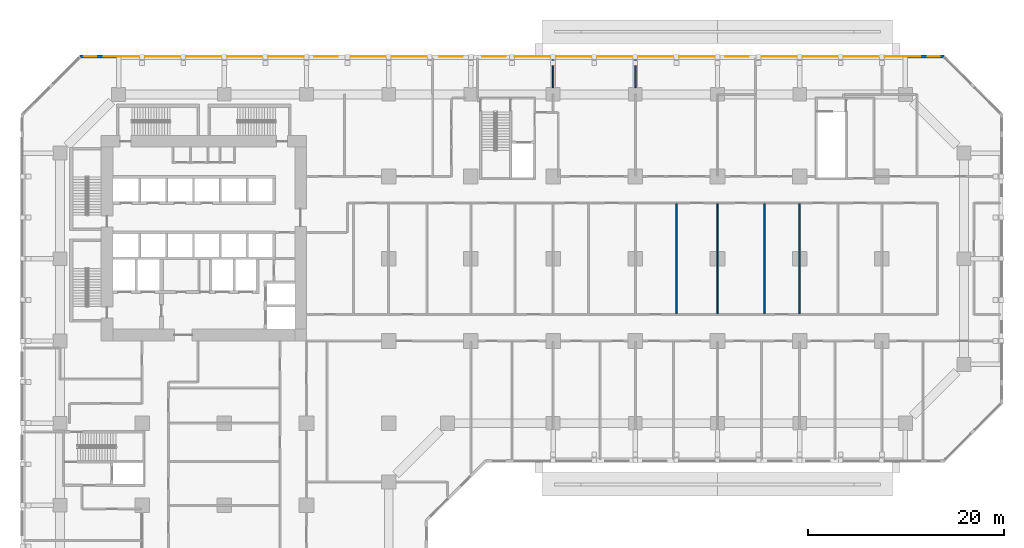
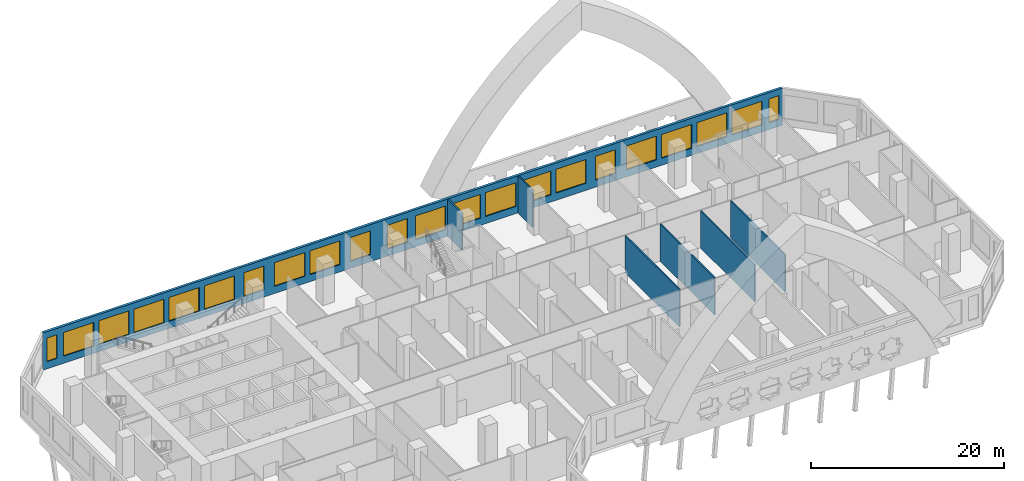
# One storey, part 15 of 25: 22 windows, 7 walls, 22 openings.
"""IFC4 building model written with IfcOpenShell, lengths in metres."""

from ifc_helpers import new_model, si_unit, direction, frame, frame_2d, origin, place, context, subcontext, project, spatial, rectangle, extrude, material, layer, layer_set, type_object, element, fill, save


model = new_model("IFC4")

# Units and contexts
model_context = context("Model", 3, precision=1e-05, world=origin(), true_north=direction((0.0, 1.0)))
body_context = subcontext(model_context, "Body", "Model", "MODEL_VIEW")
ifc_project = project(units=[si_unit("LENGTHUNIT", "METRE"), si_unit("AREAUNIT", "SQUARE_METRE"), si_unit("VOLUMEUNIT", "CUBIC_METRE"), si_unit("PLANEANGLEUNIT", "RADIAN"), si_unit("MASSUNIT", "GRAM", prefix="KILO")], contexts=[model_context])

# Site, building, storey
site_placement = place(None, origin())
site = spatial("IfcSite", under=ifc_project, at=site_placement, CompositionType="ELEMENT")
building_placement = place(site_placement, origin())
building = spatial("IfcBuilding", under=site, at=building_placement, Name="Kawkab Arch Medical Tower", CompositionType="ELEMENT")
storey_placement = place(building_placement, frame((0.0, 0.0, 29.0)))
storey = spatial("IfcBuildingStorey", under=building, at=storey_placement, Name="L06", CompositionType="ELEMENT", Elevation=29.0)

# Walls
ifc_material_1 = material(Name="Gypsum board partition on steel studs, mineral wool", Category="steel")
ifc_layer_1 = layer(ifc_material_1, 0.14990234375)
ifc_layer_set_1 = layer_set([ifc_layer_1], Name="Gypsum board partition on steel studs, mineral wool")
wall_type_1 = type_object("IfcWallType", Name="Partition 150", PredefinedType="PARTITIONING", material=ifc_layer_set_1)
for number, where, z_axis, x_axis, name in (
    (1, (50.39990234375, 0.699951171875, 0.0), (0.0, 0.0, 1.0), (0.0, 1.0, 0.0), "Partition 150 w091"),
    (2, (58.800048828125, 0.699951171875, 0.0), (0.0, 0.0, 1.0), (0.0, 1.0, 0.0), "Partition 150 w098"),
):
    element("IfcWall", number, at=place(storey_placement, frame(where, z_axis=z_axis, x_axis=x_axis)), inside=storey, type_object=wall_type_1, Name=name, PredefinedType="PARTITIONING", context=body_context, shape_type="SweptSolid", body=[
        extrude(rectangle(XDim=2.97998046875, YDim=0.14990234375, at=frame_2d((1.489990234375, 0.0))), origin(), (0.0, 0.0, 1.0), 4.699951171875),
    ])
for number, where, z_axis, x_axis, name in (
    (3, (63.0, -22.425048828125, 0.0), (0.0, 0.0, 1.0), (0.0, 1.0, 0.0), "Partition 150 w100"),
    (4, (67.199951171875, -22.425048828125, 0.0), (0.0, 0.0, 1.0), (0.0, 1.0, 0.0), "Partition 150 w102"),
    (5, (72.0, -22.425048828125, 0.0), (0.0, 0.0, 1.0), (0.0, 1.0, 0.0), "Partition 150 w107"),
    (6, (75.60009765625, -22.425048828125, 0.0), (0.0, 0.0, 1.0), (0.0, 1.0, 0.0), "Partition 150 w109"),
):
    element("IfcWall", number, at=place(storey_placement, frame(where, z_axis=z_axis, x_axis=x_axis)), inside=storey, type_object=wall_type_1, Name=name, PredefinedType="PARTITIONING", context=body_context, shape_type="SweptSolid", body=[
        extrude(rectangle(XDim=11.25, YDim=0.14990234375, at=frame_2d((5.625, 0.0))), origin(), (0.0, 0.0, 1.0), 4.699951171875),
    ])

# Wall, openings, windows
ifc_material_2 = material(Name="Bronze clad insulated wall panel")
ifc_layer_2 = layer(ifc_material_2, 0.300048828125)
ifc_layer_set_2 = layer_set([ifc_layer_2], Name="Bronze clad insulated wall panel")
wall_type_2 = type_object("IfcWallType", Name="Podium external wall 300", PredefinedType="SOLIDWALL", material=ifc_layer_set_2)
wall_placement = place(storey_placement, frame((90.337890625, 3.85009765625, 0.0), z_axis=(0.0, 0.0, 1.0), x_axis=(-1.0, 0.0, 0.0)))
wall = element("IfcWall", 7, at=wall_placement, inside=storey, type_object=wall_type_2, Name="Podium external wall L06 R11", PredefinedType="SOLIDWALL", context=body_context, shape_type="SweptSolid", body=[
    extrude(rectangle(XDim=88.27587890625, YDim=0.300048828125, at=frame_2d((44.137939453125, 0.0))), origin(), (0.0, 0.0, 1.0), 4.699951171875),
])
opening_1_placement = place(wall_placement, frame((0.43798828125, 0.0, 0.89990234375)))
opening_1 = element("IfcOpeningElement", 8, at=opening_1_placement, cuts=wall, Name="Opening PBW120-30-S9", PredefinedType="OPENING", context=body_context, shape_type="SweptSolid", body=[
    extrude(rectangle(XDim=1.199951171875, YDim=3.0, at=frame_2d((0.60009765625, 1.5))), frame((0.0, 0.159912109375, 0.0), z_axis=(0.0, -1.0, 0.0), x_axis=(1.0, 0.0, 0.0)), (0.0, 0.0, 1.0), 0.320068359375),
])
opening_2_placement = place(wall_placement, frame((2.43798828125, 0.0, 0.89990234375)))
opening_2 = element("IfcOpeningElement", 9, at=opening_2_placement, cuts=wall, Name="Opening PBW360-30-S9", PredefinedType="OPENING", context=body_context, shape_type="SweptSolid", body=[
    extrude(rectangle(XDim=3.60009765625, YDim=3.0, at=frame_2d((1.800048828125, 1.5))), frame((0.0, 0.159912109375, 0.0), z_axis=(0.0, -1.0, 0.0), x_axis=(1.0, 0.0, 0.0)), (0.0, 0.0, 1.0), 0.320068359375),
])
opening_3_placement = place(wall_placement, frame((6.637939453125, 0.0, 0.89990234375)))
opening_3 = element("IfcOpeningElement", 10, at=opening_3_placement, cuts=wall, Name="Opening PBW360-30-S9", PredefinedType="OPENING", context=body_context, shape_type="SweptSolid", body=[
    extrude(rectangle(XDim=3.60009765625, YDim=3.0, at=frame_2d((1.800048828125, 1.5))), frame((0.0, 0.159912109375, 0.0), z_axis=(0.0, -1.0, 0.0), x_axis=(1.0, 0.0, 0.0)), (0.0, 0.0, 1.0), 0.320068359375),
])
opening_4_placement = place(wall_placement, frame((10.837890625, 0.0, 0.89990234375)))
opening_4 = element("IfcOpeningElement", 11, at=opening_4_placement, cuts=wall, Name="Opening PBW360-30-S9", PredefinedType="OPENING", context=body_context, shape_type="SweptSolid", body=[
    extrude(rectangle(XDim=3.60009765625, YDim=3.0, at=frame_2d((1.800048828125, 1.5))), frame((0.0, 0.159912109375, 0.0), z_axis=(0.0, -1.0, 0.0), x_axis=(1.0, 0.0, 0.0)), (0.0, 0.0, 1.0), 0.320068359375),
])
opening_5_placement = place(wall_placement, frame((15.037841796875, 0.0, 0.89990234375)))
opening_5 = element("IfcOpeningElement", 12, at=opening_5_placement, cuts=wall, Name="Opening PBW360-30-S9", PredefinedType="OPENING", context=body_context, shape_type="SweptSolid", body=[
    extrude(rectangle(XDim=3.60009765625, YDim=3.0, at=frame_2d((1.800048828125, 1.5))), frame((0.0, 0.159912109375, 0.0), z_axis=(0.0, -1.0, 0.0), x_axis=(1.0, 0.0, 0.0)), (0.0, 0.0, 1.0), 0.320068359375),
])
opening_6_placement = place(wall_placement, frame((19.9228515625, 0.0, 0.89990234375)))
opening_6 = element("IfcOpeningElement", 13, at=opening_6_placement, cuts=wall, Name="Opening PBW240-30-S9", PredefinedType="OPENING", context=body_context, shape_type="SweptSolid", body=[
    extrude(rectangle(XDim=2.39990234375, YDim=3.0, at=frame_2d((1.199951171875, 1.5))), frame((0.0, 0.159912109375, 0.0), z_axis=(0.0, -1.0, 0.0), x_axis=(1.0, 0.0, 0.0)), (0.0, 0.0, 1.0), 0.320068359375),
])
opening_7_placement = place(wall_placement, frame((23.43798828125, 0.0, 0.89990234375)))
opening_7 = element("IfcOpeningElement", 14, at=opening_7_placement, cuts=wall, Name="Opening PBW360-30-S9", PredefinedType="OPENING", context=body_context, shape_type="SweptSolid", body=[
    extrude(rectangle(XDim=3.60009765625, YDim=3.0, at=frame_2d((1.800048828125, 1.5))), frame((0.0, 0.159912109375, 0.0), z_axis=(0.0, -1.0, 0.0), x_axis=(1.0, 0.0, 0.0)), (0.0, 0.0, 1.0), 0.320068359375),
])
opening_8_placement = place(wall_placement, frame((27.637939453125, 0.0, 0.89990234375)))
opening_8 = element("IfcOpeningElement", 15, at=opening_8_placement, cuts=wall, Name="Opening PBW360-30-S9", PredefinedType="OPENING", context=body_context, shape_type="SweptSolid", body=[
    extrude(rectangle(XDim=3.60009765625, YDim=3.0, at=frame_2d((1.800048828125, 1.5))), frame((0.0, 0.159912109375, 0.0), z_axis=(0.0, -1.0, 0.0), x_axis=(1.0, 0.0, 0.0)), (0.0, 0.0, 1.0), 0.320068359375),
])
opening_9_placement = place(wall_placement, frame((31.837890625, 0.0, 0.89990234375)))
opening_9 = element("IfcOpeningElement", 16, at=opening_9_placement, cuts=wall, Name="Opening PBW360-30-S9", PredefinedType="OPENING", context=body_context, shape_type="SweptSolid", body=[
    extrude(rectangle(XDim=3.60009765625, YDim=3.0, at=frame_2d((1.800048828125, 1.5))), frame((0.0, 0.159912109375, 0.0), z_axis=(0.0, -1.0, 0.0), x_axis=(1.0, 0.0, 0.0)), (0.0, 0.0, 1.0), 0.320068359375),
])
opening_10_placement = place(wall_placement, frame((36.037841796875, 0.0, 0.89990234375)))
opening_10 = element("IfcOpeningElement", 17, at=opening_10_placement, cuts=wall, Name="Opening PBW360-30-S9", PredefinedType="OPENING", context=body_context, shape_type="SweptSolid", body=[
    extrude(rectangle(XDim=3.60009765625, YDim=3.0, at=frame_2d((1.800048828125, 1.5))), frame((0.0, 0.159912109375, 0.0), z_axis=(0.0, -1.0, 0.0), x_axis=(1.0, 0.0, 0.0)), (0.0, 0.0, 1.0), 0.320068359375),
])
opening_11_placement = place(wall_placement, frame((40.23779296875, 0.0, 0.89990234375)))
opening_11 = element("IfcOpeningElement", 18, at=opening_11_placement, cuts=wall, Name="Opening PBW360-30-S9", PredefinedType="OPENING", context=body_context, shape_type="SweptSolid", body=[
    extrude(rectangle(XDim=3.60009765625, YDim=3.0, at=frame_2d((1.800048828125, 1.5))), frame((0.0, 0.159912109375, 0.0), z_axis=(0.0, -1.0, 0.0), x_axis=(1.0, 0.0, 0.0)), (0.0, 0.0, 1.0), 0.320068359375),
])
opening_12_placement = place(wall_placement, frame((44.77294921875, 0.0, 0.89990234375)))
opening_12 = element("IfcOpeningElement", 19, at=opening_12_placement, cuts=wall, Name="Opening PBW240-30-S9", PredefinedType="OPENING", context=body_context, shape_type="SweptSolid", body=[
    extrude(rectangle(XDim=2.39990234375, YDim=3.0, at=frame_2d((1.199951171875, 1.5))), frame((0.0, 0.159912109375, 0.0), z_axis=(0.0, -1.0, 0.0), x_axis=(1.0, 0.0, 0.0)), (0.0, 0.0, 1.0), 0.320068359375),
])
opening_13_placement = place(wall_placement, frame((49.1728515625, 0.0, 0.89990234375)))
opening_13 = element("IfcOpeningElement", 20, at=opening_13_placement, cuts=wall, Name="Opening PBW240-30-S9", PredefinedType="OPENING", context=body_context, shape_type="SweptSolid", body=[
    extrude(rectangle(XDim=2.39990234375, YDim=3.0, at=frame_2d((1.199951171875, 1.5))), frame((0.0, 0.159912109375, 0.0), z_axis=(0.0, -1.0, 0.0), x_axis=(1.0, 0.0, 0.0)), (0.0, 0.0, 1.0), 0.320068359375),
])
opening_14_placement = place(wall_placement, frame((52.837890625, 0.0, 0.89990234375)))
opening_14 = element("IfcOpeningElement", 21, at=opening_14_placement, cuts=wall, Name="Opening PBW360-30-S9", PredefinedType="OPENING", context=body_context, shape_type="SweptSolid", body=[
    extrude(rectangle(XDim=3.60009765625, YDim=3.0, at=frame_2d((1.800048828125, 1.5))), frame((0.0, 0.159912109375, 0.0), z_axis=(0.0, -1.0, 0.0), x_axis=(1.0, 0.0, 0.0)), (0.0, 0.0, 1.0), 0.320068359375),
])
opening_15_placement = place(wall_placement, frame((57.037841796875, 0.0, 0.89990234375)))
opening_15 = element("IfcOpeningElement", 22, at=opening_15_placement, cuts=wall, Name="Opening PBW360-30-S9", PredefinedType="OPENING", context=body_context, shape_type="SweptSolid", body=[
    extrude(rectangle(XDim=3.60009765625, YDim=3.0, at=frame_2d((1.800048828125, 1.5))), frame((0.0, 0.159912109375, 0.0), z_axis=(0.0, -1.0, 0.0), x_axis=(1.0, 0.0, 0.0)), (0.0, 0.0, 1.0), 0.320068359375),
])
opening_16_placement = place(wall_placement, frame((61.9228515625, 0.0, 0.89990234375)))
opening_16 = element("IfcOpeningElement", 23, at=opening_16_placement, cuts=wall, Name="Opening PBW240-30-S9", PredefinedType="OPENING", context=body_context, shape_type="SweptSolid", body=[
    extrude(rectangle(XDim=2.39990234375, YDim=3.0, at=frame_2d((1.199951171875, 1.5))), frame((0.0, 0.159912109375, 0.0), z_axis=(0.0, -1.0, 0.0), x_axis=(1.0, 0.0, 0.0)), (0.0, 0.0, 1.0), 0.320068359375),
])
opening_17_placement = place(wall_placement, frame((65.43798828125, 0.0, 0.89990234375)))
opening_17 = element("IfcOpeningElement", 24, at=opening_17_placement, cuts=wall, Name="Opening PBW360-30-S9", PredefinedType="OPENING", context=body_context, shape_type="SweptSolid", body=[
    extrude(rectangle(XDim=3.60009765625, YDim=3.0, at=frame_2d((1.800048828125, 1.5))), frame((0.0, 0.159912109375, 0.0), z_axis=(0.0, -1.0, 0.0), x_axis=(1.0, 0.0, 0.0)), (0.0, 0.0, 1.0), 0.320068359375),
])
opening_18_placement = place(wall_placement, frame((69.637939453125, 0.0, 0.89990234375)))
opening_18 = element("IfcOpeningElement", 25, at=opening_18_placement, cuts=wall, Name="Opening PBW360-30-S9", PredefinedType="OPENING", context=body_context, shape_type="SweptSolid", body=[
    extrude(rectangle(XDim=3.60009765625, YDim=3.0, at=frame_2d((1.800048828125, 1.5))), frame((0.0, 0.159912109375, 0.0), z_axis=(0.0, -1.0, 0.0), x_axis=(1.0, 0.0, 0.0)), (0.0, 0.0, 1.0), 0.320068359375),
])
opening_19_placement = place(wall_placement, frame((73.837890625, 0.0, 0.89990234375)))
opening_19 = element("IfcOpeningElement", 26, at=opening_19_placement, cuts=wall, Name="Opening PBW360-30-S9", PredefinedType="OPENING", context=body_context, shape_type="SweptSolid", body=[
    extrude(rectangle(XDim=3.60009765625, YDim=3.0, at=frame_2d((1.800048828125, 1.5))), frame((0.0, 0.159912109375, 0.0), z_axis=(0.0, -1.0, 0.0), x_axis=(1.0, 0.0, 0.0)), (0.0, 0.0, 1.0), 0.320068359375),
])
opening_20_placement = place(wall_placement, frame((78.037841796875, 0.0, 0.89990234375)))
opening_20 = element("IfcOpeningElement", 27, at=opening_20_placement, cuts=wall, Name="Opening PBW360-30-S9", PredefinedType="OPENING", context=body_context, shape_type="SweptSolid", body=[
    extrude(rectangle(XDim=3.60009765625, YDim=3.0, at=frame_2d((1.800048828125, 1.5))), frame((0.0, 0.159912109375, 0.0), z_axis=(0.0, -1.0, 0.0), x_axis=(1.0, 0.0, 0.0)), (0.0, 0.0, 1.0), 0.320068359375),
])
opening_21_placement = place(wall_placement, frame((82.23779296875, 0.0, 0.89990234375)))
opening_21 = element("IfcOpeningElement", 28, at=opening_21_placement, cuts=wall, Name="Opening PBW360-30-S9", PredefinedType="OPENING", context=body_context, shape_type="SweptSolid", body=[
    extrude(rectangle(XDim=3.60009765625, YDim=3.0, at=frame_2d((1.800048828125, 1.5))), frame((0.0, 0.159912109375, 0.0), z_axis=(0.0, -1.0, 0.0), x_axis=(1.0, 0.0, 0.0)), (0.0, 0.0, 1.0), 0.320068359375),
])
opening_22_placement = place(wall_placement, frame((86.637939453125, 0.0, 0.89990234375)))
opening_22 = element("IfcOpeningElement", 29, at=opening_22_placement, cuts=wall, Name="Opening PBW120-30-S9", PredefinedType="OPENING", context=body_context, shape_type="SweptSolid", body=[
    extrude(rectangle(XDim=1.199951171875, YDim=3.0, at=frame_2d((0.60009765625, 1.5))), frame((0.0, 0.159912109375, 0.0), z_axis=(0.0, -1.0, 0.0), x_axis=(1.0, 0.0, 0.0)), (0.0, 0.0, 1.0), 0.320068359375),
])
ifc_material_3 = material(Name="Bronze anodised aluminium louvred window", Category="aluminium")
window_type_1 = type_object("IfcWindowType", Name="Podium band window 1200 x 3000 sill 900", PartitioningType="DOUBLE_PANEL_VERTICAL", PredefinedType="WINDOW", material=ifc_material_3)
window_1_placement = place(opening_1_placement, origin())
window_1 = element("IfcWindow", 30, at=window_1_placement, inside=storey, type_object=window_type_1, Name="Band window L06 R11.1", OverallHeight=3.0, OverallWidth=1.199951171875, PartitioningType="SINGLE_PANEL", PredefinedType="WINDOW", context=body_context, shape_type="SweptSolid", body=[
    extrude(rectangle(XDim=1.199951171875, YDim=3.0, at=frame_2d((0.60009765625, 1.5))), frame((0.0, 0.030029296875, 0.0), z_axis=(0.0, -1.0, 0.0), x_axis=(1.0, 0.0, 0.0)), (0.0, 0.0, 1.0), 0.06005859375),
])
fill(opening_1, window_1)
window_2_placement = place(opening_22_placement, origin())
window_2 = element("IfcWindow", 31, at=window_2_placement, inside=storey, type_object=window_type_1, Name="Band window L06 R11.22", OverallHeight=3.0, OverallWidth=1.199951171875, PartitioningType="SINGLE_PANEL", PredefinedType="WINDOW", context=body_context, shape_type="SweptSolid", body=[
    extrude(rectangle(XDim=1.199951171875, YDim=3.0, at=frame_2d((0.60009765625, 1.5))), frame((0.0, 0.030029296875, 0.0), z_axis=(0.0, -1.0, 0.0), x_axis=(1.0, 0.0, 0.0)), (0.0, 0.0, 1.0), 0.06005859375),
])
fill(opening_22, window_2)
ifc_material_4 = material(Name="Bronze anodised aluminium louvred window", Category="aluminium")
window_type_2 = type_object("IfcWindowType", Name="Podium band window 2400 x 3000 sill 900", PartitioningType="DOUBLE_PANEL_VERTICAL", PredefinedType="WINDOW", material=ifc_material_4)
window_3_placement = place(opening_6_placement, origin())
window_3 = element("IfcWindow", 32, at=window_3_placement, inside=storey, type_object=window_type_2, Name="Band window L06 R11.6", OverallHeight=3.0, OverallWidth=2.39990234375, PartitioningType="SINGLE_PANEL", PredefinedType="WINDOW", context=body_context, shape_type="SweptSolid", body=[
    extrude(rectangle(XDim=2.39990234375, YDim=3.0, at=frame_2d((1.199951171875, 1.5))), frame((0.0, 0.030029296875, 0.0), z_axis=(0.0, -1.0, 0.0), x_axis=(1.0, 0.0, 0.0)), (0.0, 0.0, 1.0), 0.06005859375),
])
fill(opening_6, window_3)
window_4_placement = place(opening_12_placement, origin())
window_4 = element("IfcWindow", 33, at=window_4_placement, inside=storey, type_object=window_type_2, Name="Band window L06 R11.12", OverallHeight=3.0, OverallWidth=2.39990234375, PartitioningType="SINGLE_PANEL", PredefinedType="WINDOW", context=body_context, shape_type="SweptSolid", body=[
    extrude(rectangle(XDim=2.39990234375, YDim=3.0, at=frame_2d((1.199951171875, 1.5))), frame((0.0, 0.030029296875, 0.0), z_axis=(0.0, -1.0, 0.0), x_axis=(1.0, 0.0, 0.0)), (0.0, 0.0, 1.0), 0.06005859375),
])
fill(opening_12, window_4)
window_5_placement = place(opening_13_placement, origin())
window_5 = element("IfcWindow", 34, at=window_5_placement, inside=storey, type_object=window_type_2, Name="Band window L06 R11.13", OverallHeight=3.0, OverallWidth=2.39990234375, PartitioningType="SINGLE_PANEL", PredefinedType="WINDOW", context=body_context, shape_type="SweptSolid", body=[
    extrude(rectangle(XDim=2.39990234375, YDim=3.0, at=frame_2d((1.199951171875, 1.5))), frame((0.0, 0.030029296875, 0.0), z_axis=(0.0, -1.0, 0.0), x_axis=(1.0, 0.0, 0.0)), (0.0, 0.0, 1.0), 0.06005859375),
])
fill(opening_13, window_5)
window_6_placement = place(opening_16_placement, origin())
window_6 = element("IfcWindow", 35, at=window_6_placement, inside=storey, type_object=window_type_2, Name="Band window L06 R11.16", OverallHeight=3.0, OverallWidth=2.39990234375, PartitioningType="SINGLE_PANEL", PredefinedType="WINDOW", context=body_context, shape_type="SweptSolid", body=[
    extrude(rectangle(XDim=2.39990234375, YDim=3.0, at=frame_2d((1.199951171875, 1.5))), frame((0.0, 0.030029296875, 0.0), z_axis=(0.0, -1.0, 0.0), x_axis=(1.0, 0.0, 0.0)), (0.0, 0.0, 1.0), 0.06005859375),
])
fill(opening_16, window_6)
ifc_material_5 = material(Name="Bronze anodised aluminium louvred window", Category="aluminium")
window_type_3 = type_object("IfcWindowType", Name="Podium band window 3600 x 3000 sill 900", PartitioningType="DOUBLE_PANEL_VERTICAL", PredefinedType="WINDOW", material=ifc_material_5)
window_7_placement = place(opening_2_placement, origin())
window_7 = element("IfcWindow", 36, at=window_7_placement, inside=storey, type_object=window_type_3, Name="Band window L06 R11.2", OverallHeight=3.0, OverallWidth=3.60009765625, PartitioningType="SINGLE_PANEL", PredefinedType="WINDOW", context=body_context, shape_type="SweptSolid", body=[
    extrude(rectangle(XDim=3.60009765625, YDim=3.0, at=frame_2d((1.800048828125, 1.5))), frame((0.0, 0.030029296875, 0.0), z_axis=(0.0, -1.0, 0.0), x_axis=(1.0, 0.0, 0.0)), (0.0, 0.0, 1.0), 0.06005859375),
])
fill(opening_2, window_7)
window_8_placement = place(opening_3_placement, origin())
window_8 = element("IfcWindow", 37, at=window_8_placement, inside=storey, type_object=window_type_3, Name="Band window L06 R11.3", OverallHeight=3.0, OverallWidth=3.60009765625, PartitioningType="SINGLE_PANEL", PredefinedType="WINDOW", context=body_context, shape_type="SweptSolid", body=[
    extrude(rectangle(XDim=3.60009765625, YDim=3.0, at=frame_2d((1.800048828125, 1.5))), frame((0.0, 0.030029296875, 0.0), z_axis=(0.0, -1.0, 0.0), x_axis=(1.0, 0.0, 0.0)), (0.0, 0.0, 1.0), 0.06005859375),
])
fill(opening_3, window_8)
window_9_placement = place(opening_4_placement, origin())
window_9 = element("IfcWindow", 38, at=window_9_placement, inside=storey, type_object=window_type_3, Name="Band window L06 R11.4", OverallHeight=3.0, OverallWidth=3.60009765625, PartitioningType="SINGLE_PANEL", PredefinedType="WINDOW", context=body_context, shape_type="SweptSolid", body=[
    extrude(rectangle(XDim=3.60009765625, YDim=3.0, at=frame_2d((1.800048828125, 1.5))), frame((0.0, 0.030029296875, 0.0), z_axis=(0.0, -1.0, 0.0), x_axis=(1.0, 0.0, 0.0)), (0.0, 0.0, 1.0), 0.06005859375),
])
fill(opening_4, window_9)
window_10_placement = place(opening_5_placement, origin())
window_10 = element("IfcWindow", 39, at=window_10_placement, inside=storey, type_object=window_type_3, Name="Band window L06 R11.5", OverallHeight=3.0, OverallWidth=3.60009765625, PartitioningType="SINGLE_PANEL", PredefinedType="WINDOW", context=body_context, shape_type="SweptSolid", body=[
    extrude(rectangle(XDim=3.60009765625, YDim=3.0, at=frame_2d((1.800048828125, 1.5))), frame((0.0, 0.030029296875, 0.0), z_axis=(0.0, -1.0, 0.0), x_axis=(1.0, 0.0, 0.0)), (0.0, 0.0, 1.0), 0.06005859375),
])
fill(opening_5, window_10)
window_11_placement = place(opening_7_placement, origin())
window_11 = element("IfcWindow", 40, at=window_11_placement, inside=storey, type_object=window_type_3, Name="Band window L06 R11.7", OverallHeight=3.0, OverallWidth=3.60009765625, PartitioningType="SINGLE_PANEL", PredefinedType="WINDOW", context=body_context, shape_type="SweptSolid", body=[
    extrude(rectangle(XDim=3.60009765625, YDim=3.0, at=frame_2d((1.800048828125, 1.5))), frame((0.0, 0.030029296875, 0.0), z_axis=(0.0, -1.0, 0.0), x_axis=(1.0, 0.0, 0.0)), (0.0, 0.0, 1.0), 0.06005859375),
])
fill(opening_7, window_11)
window_12_placement = place(opening_8_placement, origin())
window_12 = element("IfcWindow", 41, at=window_12_placement, inside=storey, type_object=window_type_3, Name="Band window L06 R11.8", OverallHeight=3.0, OverallWidth=3.60009765625, PartitioningType="SINGLE_PANEL", PredefinedType="WINDOW", context=body_context, shape_type="SweptSolid", body=[
    extrude(rectangle(XDim=3.60009765625, YDim=3.0, at=frame_2d((1.800048828125, 1.5))), frame((0.0, 0.030029296875, 0.0), z_axis=(0.0, -1.0, 0.0), x_axis=(1.0, 0.0, 0.0)), (0.0, 0.0, 1.0), 0.06005859375),
])
fill(opening_8, window_12)
window_13_placement = place(opening_9_placement, origin())
window_13 = element("IfcWindow", 42, at=window_13_placement, inside=storey, type_object=window_type_3, Name="Band window L06 R11.9", OverallHeight=3.0, OverallWidth=3.60009765625, PartitioningType="SINGLE_PANEL", PredefinedType="WINDOW", context=body_context, shape_type="SweptSolid", body=[
    extrude(rectangle(XDim=3.60009765625, YDim=3.0, at=frame_2d((1.800048828125, 1.5))), frame((0.0, 0.030029296875, 0.0), z_axis=(0.0, -1.0, 0.0), x_axis=(1.0, 0.0, 0.0)), (0.0, 0.0, 1.0), 0.06005859375),
])
fill(opening_9, window_13)
window_14_placement = place(opening_10_placement, origin())
window_14 = element("IfcWindow", 43, at=window_14_placement, inside=storey, type_object=window_type_3, Name="Band window L06 R11.10", OverallHeight=3.0, OverallWidth=3.60009765625, PartitioningType="SINGLE_PANEL", PredefinedType="WINDOW", context=body_context, shape_type="SweptSolid", body=[
    extrude(rectangle(XDim=3.60009765625, YDim=3.0, at=frame_2d((1.800048828125, 1.5))), frame((0.0, 0.030029296875, 0.0), z_axis=(0.0, -1.0, 0.0), x_axis=(1.0, 0.0, 0.0)), (0.0, 0.0, 1.0), 0.06005859375),
])
fill(opening_10, window_14)
window_15_placement = place(opening_11_placement, origin())
window_15 = element("IfcWindow", 44, at=window_15_placement, inside=storey, type_object=window_type_3, Name="Band window L06 R11.11", OverallHeight=3.0, OverallWidth=3.60009765625, PartitioningType="SINGLE_PANEL", PredefinedType="WINDOW", context=body_context, shape_type="SweptSolid", body=[
    extrude(rectangle(XDim=3.60009765625, YDim=3.0, at=frame_2d((1.800048828125, 1.5))), frame((0.0, 0.030029296875, 0.0), z_axis=(0.0, -1.0, 0.0), x_axis=(1.0, 0.0, 0.0)), (0.0, 0.0, 1.0), 0.06005859375),
])
fill(opening_11, window_15)
window_16_placement = place(opening_14_placement, origin())
window_16 = element("IfcWindow", 45, at=window_16_placement, inside=storey, type_object=window_type_3, Name="Band window L06 R11.14", OverallHeight=3.0, OverallWidth=3.60009765625, PartitioningType="SINGLE_PANEL", PredefinedType="WINDOW", context=body_context, shape_type="SweptSolid", body=[
    extrude(rectangle(XDim=3.60009765625, YDim=3.0, at=frame_2d((1.800048828125, 1.5))), frame((0.0, 0.030029296875, 0.0), z_axis=(0.0, -1.0, 0.0), x_axis=(1.0, 0.0, 0.0)), (0.0, 0.0, 1.0), 0.06005859375),
])
fill(opening_14, window_16)
window_17_placement = place(opening_15_placement, origin())
window_17 = element("IfcWindow", 46, at=window_17_placement, inside=storey, type_object=window_type_3, Name="Band window L06 R11.15", OverallHeight=3.0, OverallWidth=3.60009765625, PartitioningType="SINGLE_PANEL", PredefinedType="WINDOW", context=body_context, shape_type="SweptSolid", body=[
    extrude(rectangle(XDim=3.60009765625, YDim=3.0, at=frame_2d((1.800048828125, 1.5))), frame((0.0, 0.030029296875, 0.0), z_axis=(0.0, -1.0, 0.0), x_axis=(1.0, 0.0, 0.0)), (0.0, 0.0, 1.0), 0.06005859375),
])
fill(opening_15, window_17)
window_18_placement = place(opening_17_placement, origin())
window_18 = element("IfcWindow", 47, at=window_18_placement, inside=storey, type_object=window_type_3, Name="Band window L06 R11.17", OverallHeight=3.0, OverallWidth=3.60009765625, PartitioningType="SINGLE_PANEL", PredefinedType="WINDOW", context=body_context, shape_type="SweptSolid", body=[
    extrude(rectangle(XDim=3.60009765625, YDim=3.0, at=frame_2d((1.800048828125, 1.5))), frame((0.0, 0.030029296875, 0.0), z_axis=(0.0, -1.0, 0.0), x_axis=(1.0, 0.0, 0.0)), (0.0, 0.0, 1.0), 0.06005859375),
])
fill(opening_17, window_18)
window_19_placement = place(opening_18_placement, origin())
window_19 = element("IfcWindow", 48, at=window_19_placement, inside=storey, type_object=window_type_3, Name="Band window L06 R11.18", OverallHeight=3.0, OverallWidth=3.60009765625, PartitioningType="SINGLE_PANEL", PredefinedType="WINDOW", context=body_context, shape_type="SweptSolid", body=[
    extrude(rectangle(XDim=3.60009765625, YDim=3.0, at=frame_2d((1.800048828125, 1.5))), frame((0.0, 0.030029296875, 0.0), z_axis=(0.0, -1.0, 0.0), x_axis=(1.0, 0.0, 0.0)), (0.0, 0.0, 1.0), 0.06005859375),
])
fill(opening_18, window_19)
window_20_placement = place(opening_19_placement, origin())
window_20 = element("IfcWindow", 49, at=window_20_placement, inside=storey, type_object=window_type_3, Name="Band window L06 R11.19", OverallHeight=3.0, OverallWidth=3.60009765625, PartitioningType="SINGLE_PANEL", PredefinedType="WINDOW", context=body_context, shape_type="SweptSolid", body=[
    extrude(rectangle(XDim=3.60009765625, YDim=3.0, at=frame_2d((1.800048828125, 1.5))), frame((0.0, 0.030029296875, 0.0), z_axis=(0.0, -1.0, 0.0), x_axis=(1.0, 0.0, 0.0)), (0.0, 0.0, 1.0), 0.06005859375),
])
fill(opening_19, window_20)
window_21_placement = place(opening_20_placement, origin())
window_21 = element("IfcWindow", 50, at=window_21_placement, inside=storey, type_object=window_type_3, Name="Band window L06 R11.20", OverallHeight=3.0, OverallWidth=3.60009765625, PartitioningType="SINGLE_PANEL", PredefinedType="WINDOW", context=body_context, shape_type="SweptSolid", body=[
    extrude(rectangle(XDim=3.60009765625, YDim=3.0, at=frame_2d((1.800048828125, 1.5))), frame((0.0, 0.030029296875, 0.0), z_axis=(0.0, -1.0, 0.0), x_axis=(1.0, 0.0, 0.0)), (0.0, 0.0, 1.0), 0.06005859375),
])
fill(opening_20, window_21)
window_22_placement = place(opening_21_placement, origin())
window_22 = element("IfcWindow", 51, at=window_22_placement, inside=storey, type_object=window_type_3, Name="Band window L06 R11.21", OverallHeight=3.0, OverallWidth=3.60009765625, PartitioningType="SINGLE_PANEL", PredefinedType="WINDOW", context=body_context, shape_type="SweptSolid", body=[
    extrude(rectangle(XDim=3.60009765625, YDim=3.0, at=frame_2d((1.800048828125, 1.5))), frame((0.0, 0.030029296875, 0.0), z_axis=(0.0, -1.0, 0.0), x_axis=(1.0, 0.0, 0.0)), (0.0, 0.0, 1.0), 0.06005859375),
])
fill(opening_21, window_22)

save(model, "model.ifc")
